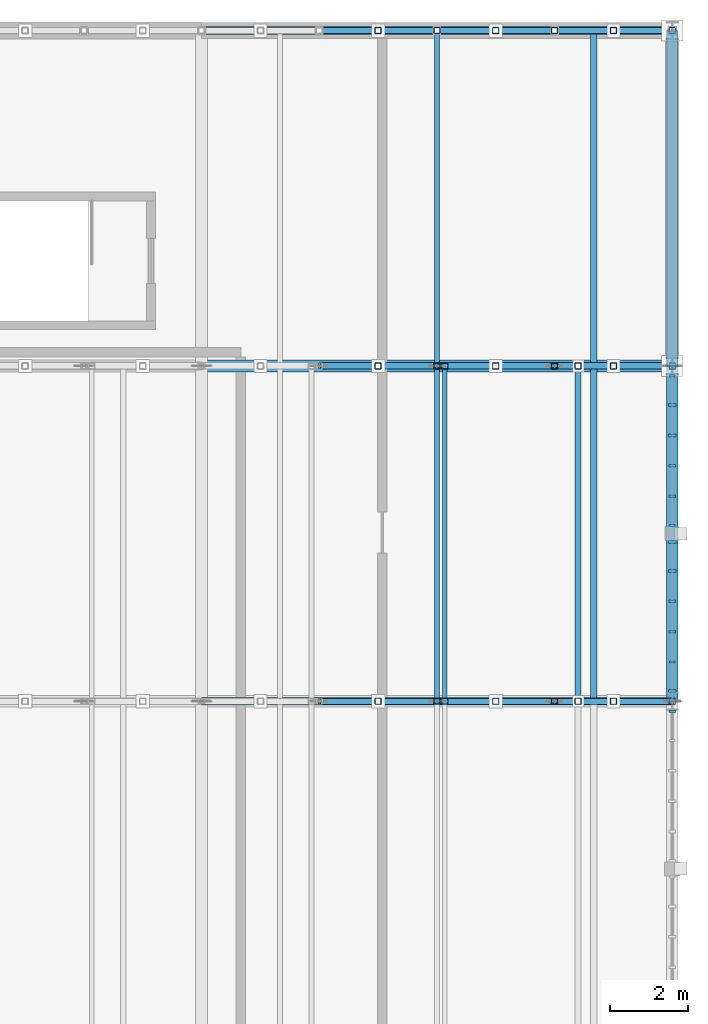
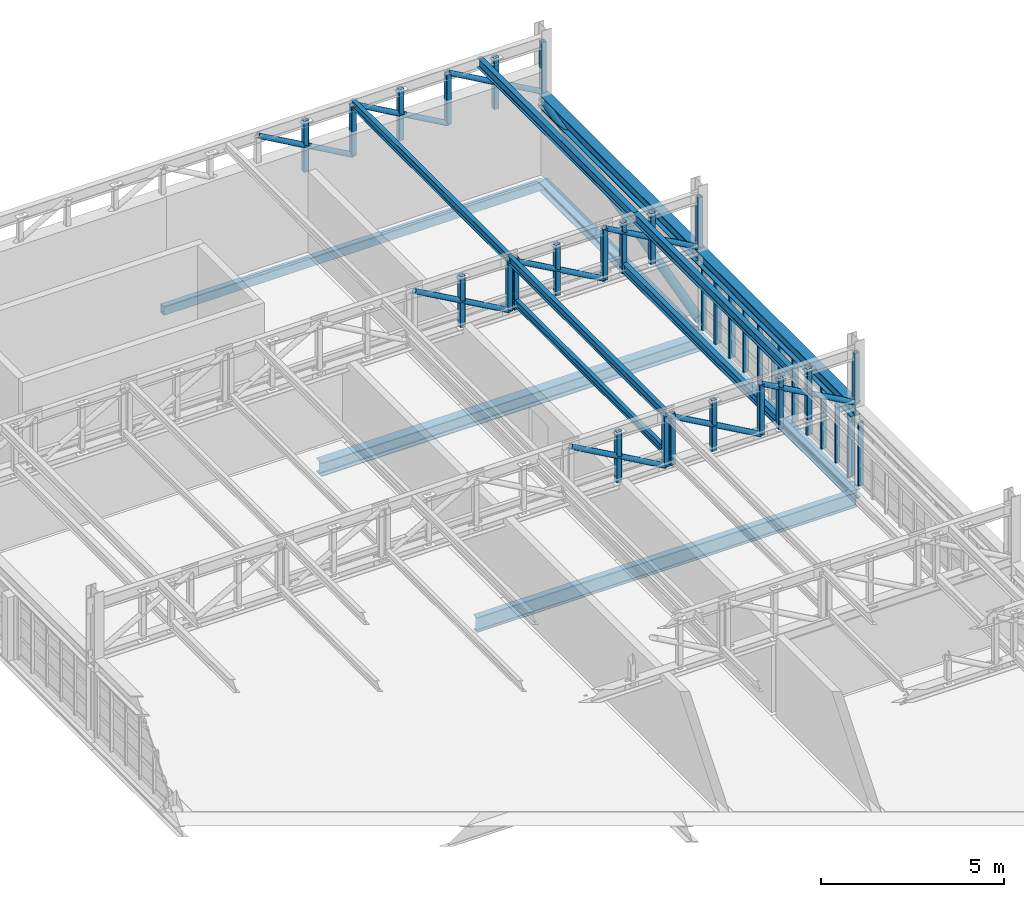
# One storey, part 58 of 128: 51 members, 7 beams, 3 elements without a shape of their own.
"""IFC4 building model written with IfcOpenShell, lengths in metres."""

from ifc_helpers import new_model, si_unit, direction, frame, origin, origin_2d, place, context, subcontext, project, spatial, rectangle, hollow_rectangle, hollow_circle, i_section, extrude, material, material_profile, profile_set, type_object, element, aggregate, save


model = new_model("IFC4")

# Units and contexts
model_context = context("Model", 3, precision=1e-05, world=origin(), true_north=direction((0.0, 1.0)))
body_context = subcontext(model_context, "Body", "Model", "MODEL_VIEW")
ifc_project = project(units=[si_unit("LENGTHUNIT", "METRE"), si_unit("AREAUNIT", "SQUARE_METRE"), si_unit("VOLUMEUNIT", "CUBIC_METRE"), si_unit("PLANEANGLEUNIT", "RADIAN"), si_unit("MASSUNIT", "GRAM", prefix="KILO")], contexts=[model_context])

# Site, building, storey
site_placement = place(None, origin())
site = spatial("IfcSite", under=ifc_project, at=site_placement, CompositionType="ELEMENT")
building_placement = place(site_placement, origin())
building = spatial("IfcBuilding", under=site, at=building_placement, Name="Serraforn Aerial Cableway Station", CompositionType="ELEMENT")
storey_placement = place(building_placement, frame((0.0, 0.0, 9.0)))
storey = spatial("IfcBuildingStorey", under=building, at=storey_placement, Name="L02", CompositionType="ELEMENT", Elevation=9.0)

# Beams
ifc_material_1 = material(Name="Steel S355JR", Category="steel")
ifc_material_profile_1 = material_profile(ifc_material_1, i_section(OverallWidth=0.300048828125, OverallDepth=0.449951171875, WebThickness=0.011474609375, FlangeThickness=0.02099609375, FilletRadius=0.027099609375, at=origin_2d()), Name="HEA 450")
ifc_profile_set_1 = profile_set([ifc_material_profile_1], Name="Steel S355JR")
beam_type_1 = type_object("IfcBeamType", Name="BM-ST-HEA450", PredefinedType="USERDEFINED", material=ifc_profile_set_1)
beam_1_placement = place(storey_placement, frame((156.0, 105.449951171875, -0.544921875), z_axis=(1.0, 0.0, 0.0), x_axis=(0.0, 1.0, 0.0)))
element("IfcBeam", 1, at=beam_1_placement, inside=storey, type_object=beam_type_1, Name="Grid Girder X EG L02 Y8-2", ObjectType="GIRDER", PredefinedType="USERDEFINED", context=body_context, shape_type="SweptSolid", body=[
    extrude(i_section(OverallWidth=0.300048828125, OverallDepth=0.449951171875, WebThickness=0.011474609375, FlangeThickness=0.02099609375, FilletRadius=0.027099609375, at=origin_2d()), origin(), (0.0, 0.0, 1.0), 12.0),
])
ifc_material_2 = material(Name="Steel S355J2", Category="steel")
ifc_material_profile_2 = material_profile(ifc_material_2, i_section(OverallWidth=0.300048828125, OverallDepth=0.300048828125, WebThickness=0.010986328125, FlangeThickness=0.01904296875, FilletRadius=0.027099609375, at=origin_2d()), Name="HEB 300")
ifc_profile_set_2 = profile_set([ifc_material_profile_2], Name="Steel S355J2")
beam_type_2 = type_object("IfcBeamType", Name="BM-ST-HEB300", PredefinedType="BEAM", material=ifc_profile_set_2)
for number, where, z_axis, x_axis, name in (
    (2, (168.0, 96.89990234375, -0.469970703125), (0.0, 1.0, 0.0), (-1.0, 0.0, 0.0), "Grid Girder Y EG L02 X3-7"),
    (3, (168.0, 105.449951171875, -0.469970703125), (0.0, 1.0, 0.0), (-1.0, 0.0, 0.0), "Grid Girder Y EG L02 X3-8"),
):
    element("IfcBeam", number, at=place(storey_placement, frame(where, z_axis=z_axis, x_axis=x_axis)), inside=storey, type_object=beam_type_2, Name=name, PredefinedType="BEAM", context=body_context, shape_type="SweptSolid", body=[
        extrude(i_section(OverallWidth=0.300048828125, OverallDepth=0.300048828125, WebThickness=0.010986328125, FlangeThickness=0.01904296875, FilletRadius=0.027099609375, at=origin_2d()), origin(), (0.0, 0.0, 1.0), 8.550048828125),
    ])
ifc_material_profile_3 = material_profile(ifc_material_2, i_section(OverallWidth=0.300048828125, OverallDepth=0.449951171875, WebThickness=0.013916015625, FlangeThickness=0.02587890625, FilletRadius=0.027099609375, at=origin_2d()), Name="HEB 450")
ifc_profile_set_3 = profile_set([ifc_material_profile_3], Name="Steel S355J2")
beam_type_3 = type_object("IfcBeamType", Name="BM-ST-HEB450", PredefinedType="USERDEFINED", material=ifc_profile_set_3)
for number, where, z_axis, x_axis, name in (
    (4, (168.0, 96.89990234375, 2.375), (0.0, 1.0, 0.0), (-1.0, 0.0, 0.0), "Garage Truss Support Girder E-7"),
    (5, (168.0, 105.449951171875, 2.375), (0.0, 1.0, 0.0), (-1.0, 0.0, 0.0), "Garage Truss Support Girder E-8"),
):
    element("IfcBeam", number, at=place(storey_placement, frame(where, z_axis=z_axis, x_axis=x_axis)), inside=storey, type_object=beam_type_3, Name=name, ObjectType="GIRDER", PredefinedType="USERDEFINED", context=body_context, shape_type="SweptSolid", body=[
        extrude(i_section(OverallWidth=0.300048828125, OverallDepth=0.449951171875, WebThickness=0.013916015625, FlangeThickness=0.02587890625, FilletRadius=0.027099609375, at=origin_2d()), origin(), (0.0, 0.0, 1.0), 8.550048828125),
    ])
ifc_material_profile_4 = material_profile(ifc_material_1, i_section(OverallWidth=0.199951171875, OverallDepth=0.5, WebThickness=0.01025390625, FlangeThickness=0.01611328125, FilletRadius=0.02099609375, at=origin_2d()), Name="IPE 500")
ifc_profile_set_4 = profile_set([ifc_material_profile_4], Name="Steel S355JR")
beam_type_4 = type_object("IfcBeamType", Name="BM-ST-IPE500", PredefinedType="USERDEFINED", material=ifc_profile_set_4)
beam_2_placement = place(storey_placement, frame((156.0, 96.89990234375, -0.570068359375), z_axis=(1.0, 0.0, 0.0), x_axis=(0.0, 1.0, 0.0)))
element("IfcBeam", 6, at=beam_2_placement, inside=storey, type_object=beam_type_4, Name="Grid Girder X EG L02 Y7-2", ObjectType="GIRDER", PredefinedType="USERDEFINED", context=body_context, shape_type="SweptSolid", body=[
    extrude(i_section(OverallWidth=0.199951171875, OverallDepth=0.5, WebThickness=0.01025390625, FlangeThickness=0.01611328125, FilletRadius=0.02099609375, at=origin_2d()), origin(), (0.0, 0.0, 1.0), 12.0),
])
ifc_material_profile_5 = material_profile(ifc_material_2, hollow_rectangle(XDim=0.199951171875, YDim=0.300048828125, WallThickness=0.012451171875, InnerFilletRadius=0.012451171875, OuterFilletRadius=0.02490234375, at=origin_2d()), Name="RHS 300x200x12.5")
ifc_profile_set_5 = profile_set([ifc_material_profile_5], Name="Steel S355J2")
beam_type_5 = type_object("IfcBeamType", Name="BM-ST-RHS300", PredefinedType="SPANDREL", material=ifc_profile_set_5)
beam_3_placement = place(storey_placement, frame((156.0, 114.0, -0.469970703125), z_axis=(1.0, 0.0, 0.0), x_axis=(0.0, 1.0, 0.0)))
element("IfcBeam", 7, at=beam_3_placement, inside=storey, type_object=beam_type_5, Name="Grid Girder X EG L02 Y9-2", PredefinedType="SPANDREL", context=body_context, shape_type="SweptSolid", body=[
    extrude(hollow_rectangle(XDim=0.199951171875, YDim=0.300048828125, WallThickness=0.012451171875, InnerFilletRadius=0.012451171875, OuterFilletRadius=0.02490234375, at=origin_2d()), origin(), (0.0, 0.0, 1.0), 12.0),
])

# Curtain wall, member
ifc_material_3 = material(Name="Anodised bronze unitised curtain wall")
curtain_wall_type_1 = type_object("IfcCurtainWallType", Name="CW-SYS-13", PredefinedType="USERDEFINED", material=ifc_material_3)
curtain_wall_1_placement = place(storey_placement, origin())
curtain_wall_1 = element("IfcCurtainWall", 8, at=curtain_wall_1_placement, inside=storey, type_object=curtain_wall_type_1, Name="Unitised Curtain Wall CW-EG-L02-E7A", ObjectType="UNITISED CURTAIN WALL", PredefinedType="USERDEFINED")
ifc_material_4 = material(Name="Anodised bronze extruded aluminium", Category="aluminium")
ifc_material_profile_6 = material_profile(ifc_material_4, rectangle(XDim=0.054931640625, YDim=0.139892578125, at=origin_2d()), Name="CW MULLION 55x140")
ifc_profile_set_6 = profile_set([ifc_material_profile_6], Name="Anodised bronze extruded aluminium")
member_type_1 = type_object("IfcMemberType", Name="CW-MUL-1", PredefinedType="MULLION", material=ifc_profile_set_6)
member_1_placement = place(storey_placement, frame((168.0, 97.8974609375, 0.0), z_axis=(0.0, 0.0, 1.0), x_axis=(0.0, 1.0, 0.0)))
member_1 = element("IfcMember", 9, at=member_1_placement, type_object=member_type_1, Name="Curtain Wall Mullion CW-EG-L02-E7A-M2", PredefinedType="MULLION", context=body_context, shape_type="SweptSolid", body=[
    extrude(rectangle(XDim=0.054931640625, YDim=0.139892578125, at=origin_2d()), origin(), (0.0, 0.0, 1.0), 2.1201171875),
])

# Curtain wall, members
curtain_wall_type_2 = type_object("IfcCurtainWallType", Name="CW-SYS-14", PredefinedType="USERDEFINED", material=ifc_material_3)
curtain_wall_2_placement = place(storey_placement, origin())
curtain_wall_2 = element("IfcCurtainWall", 10, at=curtain_wall_2_placement, inside=storey, type_object=curtain_wall_type_2, Name="Unitised Curtain Wall CW-EG-L02-E7B", ObjectType="UNITISED CURTAIN WALL", PredefinedType="USERDEFINED")
member_2_placement = place(storey_placement, frame((168.0, 101.382568359375, 0.0), z_axis=(0.0, 0.0, 1.0), x_axis=(0.0, 1.0, 0.0)))
member_2 = element("IfcMember", 11, at=member_2_placement, type_object=member_type_1, Name="Curtain Wall Mullion CW-EG-L02-E7B-M1", PredefinedType="MULLION", context=body_context, shape_type="SweptSolid", body=[
    extrude(rectangle(XDim=0.054931640625, YDim=0.139892578125, at=origin_2d()), origin(), (0.0, 0.0, 1.0), 2.1201171875),
])
member_3_placement = place(storey_placement, frame((168.0, 105.199462890625, 0.0), z_axis=(0.0, 0.0, 1.0), x_axis=(0.0, 1.0, 0.0)))
member_3 = element("IfcMember", 12, at=member_3_placement, type_object=member_type_1, Name="Curtain Wall Mullion CW-EG-L02-E7B-M6", PredefinedType="MULLION", context=body_context, shape_type="SweptSolid", body=[
    extrude(rectangle(XDim=0.054931640625, YDim=0.139892578125, at=origin_2d()), origin(), (0.0, 0.0, 1.0), 2.1201171875),
])

# Curtain wall, member
curtain_wall_type_3 = type_object("IfcCurtainWallType", Name="CW-SYS-10", PredefinedType="USERDEFINED", material=ifc_material_3)
curtain_wall_3_placement = place(storey_placement, origin())
curtain_wall_3 = element("IfcCurtainWall", 13, at=curtain_wall_3_placement, inside=storey, type_object=curtain_wall_type_3, Name="Unitised Curtain Wall CW-EG-L02-E6B", ObjectType="UNITISED CURTAIN WALL", PredefinedType="USERDEFINED")
ifc_material_profile_7 = material_profile(ifc_material_4, rectangle(XDim=0.06005859375, YDim=0.159912109375, at=origin_2d()), Name="CW MULLION 60x160")
ifc_profile_set_7 = profile_set([ifc_material_profile_7], Name="Anodised bronze extruded aluminium")
member_type_2 = type_object("IfcMemberType", Name="CW-MUL-2", PredefinedType="MULLION", material=ifc_profile_set_7)
member_4_placement = place(storey_placement, frame((168.0, 96.64697265625, 0.0), z_axis=(0.0, 0.0, 1.0), x_axis=(0.0, 1.0, 0.0)))
member_4 = element("IfcMember", 14, at=member_4_placement, type_object=member_type_2, Name="Curtain Wall Mullion CW-EG-L02-E6B-M6", PredefinedType="MULLION", context=body_context, shape_type="SweptSolid", body=[
    extrude(rectangle(XDim=0.06005859375, YDim=0.159912109375, at=origin_2d()), origin(), (0.0, 0.0, 1.0), 2.1201171875),
])
aggregate(curtain_wall_3, [member_4])

# Member
member_5_placement = place(storey_placement, frame((168.0, 98.671875, 0.0), z_axis=(0.0, 0.0, 1.0), x_axis=(0.0, 1.0, 0.0)))
member_5 = element("IfcMember", 15, at=member_5_placement, type_object=member_type_2, Name="Curtain Wall Mullion CW-EG-L02-E7A-M3", PredefinedType="MULLION", context=body_context, shape_type="SweptSolid", body=[
    extrude(rectangle(XDim=0.06005859375, YDim=0.159912109375, at=origin_2d()), origin(), (0.0, 0.0, 1.0), 2.1201171875),
])

member_6_placement = place(storey_placement, frame((168.0, 102.12939453125, 0.0), z_axis=(0.0, 0.0, 1.0), x_axis=(0.0, 1.0, 0.0)))
member_6 = element("IfcMember", 16, at=member_6_placement, type_object=member_type_2, Name="Curtain Wall Mullion CW-EG-L02-E7B-M2", PredefinedType="MULLION", context=body_context, shape_type="SweptSolid", body=[
    extrude(rectangle(XDim=0.06005859375, YDim=0.159912109375, at=origin_2d()), origin(), (0.0, 0.0, 1.0), 2.1201171875),
])

ifc_material_profile_8 = material_profile(ifc_material_4, rectangle(XDim=0.06494140625, YDim=0.175048828125, at=origin_2d()), Name="CW MULLION 65x175")
ifc_profile_set_8 = profile_set([ifc_material_profile_8], Name="Anodised bronze extruded aluminium")
member_type_3 = type_object("IfcMemberType", Name="CW-MUL-3", PredefinedType="MULLION", material=ifc_profile_set_8)
member_7_placement = place(storey_placement, frame((168.0, 99.4462890625, 0.0), z_axis=(0.0, 0.0, 1.0), x_axis=(0.0, 1.0, 0.0)))
member_7 = element("IfcMember", 17, at=member_7_placement, type_object=member_type_3, Name="Curtain Wall Mullion CW-EG-L02-E7A-M4", PredefinedType="MULLION", context=body_context, shape_type="SweptSolid", body=[
    extrude(rectangle(XDim=0.06494140625, YDim=0.175048828125, at=origin_2d()), origin(), (0.0, 0.0, 1.0), 2.1201171875),
])

member_8_placement = place(storey_placement, frame((168.0, 102.90380859375, 0.0), z_axis=(0.0, 0.0, 1.0), x_axis=(0.0, 1.0, 0.0)))
member_8 = element("IfcMember", 18, at=member_8_placement, type_object=member_type_3, Name="Curtain Wall Mullion CW-EG-L02-E7B-M3", PredefinedType="MULLION", context=body_context, shape_type="SweptSolid", body=[
    extrude(rectangle(XDim=0.06494140625, YDim=0.175048828125, at=origin_2d()), origin(), (0.0, 0.0, 1.0), 2.1201171875),
])

ifc_material_profile_9 = material_profile(ifc_material_4, rectangle(XDim=0.070068359375, YDim=0.18994140625, at=origin_2d()), Name="CW MULLION 70x190")
ifc_profile_set_9 = profile_set([ifc_material_profile_9], Name="Anodised bronze extruded aluminium")
member_type_4 = type_object("IfcMemberType", Name="CW-MUL-4", PredefinedType="MULLION", material=ifc_profile_set_9)
member_9_placement = place(storey_placement, frame((168.0, 100.220703125, 0.0), z_axis=(0.0, 0.0, 1.0), x_axis=(0.0, 1.0, 0.0)))
member_9 = element("IfcMember", 19, at=member_9_placement, type_object=member_type_4, Name="Curtain Wall Mullion CW-EG-L02-E7A-M5", PredefinedType="MULLION", context=body_context, shape_type="SweptSolid", body=[
    extrude(rectangle(XDim=0.070068359375, YDim=0.18994140625, at=origin_2d()), origin(), (0.0, 0.0, 1.0), 2.1201171875),
])

member_10_placement = place(storey_placement, frame((168.0, 103.67822265625, 0.0), z_axis=(0.0, 0.0, 1.0), x_axis=(0.0, 1.0, 0.0)))
member_10 = element("IfcMember", 20, at=member_10_placement, type_object=member_type_4, Name="Curtain Wall Mullion CW-EG-L02-E7B-M4", PredefinedType="MULLION", context=body_context, shape_type="SweptSolid", body=[
    extrude(rectangle(XDim=0.070068359375, YDim=0.18994140625, at=origin_2d()), origin(), (0.0, 0.0, 1.0), 2.1201171875),
])

ifc_material_profile_10 = material_profile(ifc_material_4, rectangle(XDim=0.074951171875, YDim=0.199951171875, at=origin_2d()), Name="CW MULLION 75x200")
ifc_profile_set_10 = profile_set([ifc_material_profile_10], Name="Anodised bronze extruded aluminium")
member_type_5 = type_object("IfcMemberType", Name="CW-MUL-5", PredefinedType="MULLION", material=ifc_profile_set_10)
member_11_placement = place(storey_placement, frame((168.0, 97.160400390625, 0.0), z_axis=(0.0, 0.0, 1.0), x_axis=(0.0, 1.0, 0.0)))
member_11 = element("IfcMember", 21, at=member_11_placement, type_object=member_type_5, Name="Curtain Wall Mullion CW-EG-L02-E7A-M1", PredefinedType="MULLION", context=body_context, shape_type="SweptSolid", body=[
    extrude(rectangle(XDim=0.074951171875, YDim=0.199951171875, at=origin_2d()), origin(), (0.0, 0.0, 1.0), 2.1201171875),
])

member_12_placement = place(storey_placement, frame((168.0, 100.95751953125, 0.0), z_axis=(0.0, 0.0, 1.0), x_axis=(0.0, 1.0, 0.0)))
member_12 = element("IfcMember", 22, at=member_12_placement, type_object=member_type_5, Name="Curtain Wall Mullion CW-EG-L02-E7A-M6", PredefinedType="MULLION", context=body_context, shape_type="SweptSolid", body=[
    extrude(rectangle(XDim=0.074951171875, YDim=0.199951171875, at=origin_2d()), origin(), (0.0, 0.0, 1.0), 2.1201171875),
])

aggregate(curtain_wall_1, [member_11, member_1, member_5, member_7, member_9, member_12])

member_13_placement = place(storey_placement, frame((168.0, 104.45263671875, 0.0), z_axis=(0.0, 0.0, 1.0), x_axis=(0.0, 1.0, 0.0)))
member_13 = element("IfcMember", 23, at=member_13_placement, type_object=member_type_5, Name="Curtain Wall Mullion CW-EG-L02-E7B-M5", PredefinedType="MULLION", context=body_context, shape_type="SweptSolid", body=[
    extrude(rectangle(XDim=0.074951171875, YDim=0.199951171875, at=origin_2d()), origin(), (0.0, 0.0, 1.0), 2.1201171875),
])

aggregate(curtain_wall_2, [member_2, member_6, member_8, member_10, member_13, member_3])

# Members
ifc_material_profile_11 = material_profile(ifc_material_2, hollow_circle(Radius=0.084228515625, WallThickness=0.008056640625, at=origin_2d()), Name="CHS 168.3x8.0")
ifc_profile_set_11 = profile_set([ifc_material_profile_11], Name="Steel S355J2")
member_type_6 = type_object("IfcMemberType", Name="MEM-DG-CHS168", PredefinedType="BRACE", material=ifc_profile_set_11)
for number, where, z_axis, x_axis, name in (
    (24, (159.0, 96.89990234375, 4.2900390625), (0.871272396707, 0.0, -0.490799766439), (0.0, 1.0, 0.0), "Garage Truss GT-10 Diagonal 6"),
    (25, (162.0, 96.89990234375, 4.2900390625), (0.871272396707, 0.0, -0.490799766439), (0.0, 1.0, 0.0), "Garage Truss GT-10 Diagonal 7"),
    (26, (165.0, 96.89990234375, 4.2900390625), (0.871272396707, 0.0, -0.490799766439), (0.0, 1.0, 0.0), "Garage Truss GT-10 Diagonal 8"),
    (27, (159.0, 105.449951171875, 4.2900390625), (0.871272396707, 0.0, -0.490799766439), (0.0, 1.0, 0.0), "Garage Truss GT-11 Diagonal 6"),
    (28, (162.0, 105.449951171875, 4.2900390625), (0.871272396707, 0.0, -0.490799766439), (0.0, 1.0, 0.0), "Garage Truss GT-11 Diagonal 7"),
    (29, (165.0, 105.449951171875, 4.2900390625), (0.871272396707, 0.0, -0.490799766439), (0.0, 1.0, 0.0), "Garage Truss GT-11 Diagonal 8"),
    (30, (159.0, 114.0, 4.2900390625), (0.871272396707, 0.0, -0.490799766439), (0.0, 1.0, 0.0), "Garage Truss GT-12 Diagonal 6"),
    (31, (162.0, 114.0, 4.2900390625), (0.871272396707, 0.0, -0.490799766439), (0.0, 1.0, 0.0), "Garage Truss GT-12 Diagonal 7"),
    (32, (165.0, 114.0, 4.2900390625), (0.871272396707, 0.0, -0.490799766439), (0.0, 1.0, 0.0), "Garage Truss GT-12 Diagonal 8"),
):
    element("IfcMember", number, at=place(storey_placement, frame(where, z_axis=z_axis, x_axis=x_axis)), inside=storey, type_object=member_type_6, Name=name, PredefinedType="BRACE", context=body_context, shape_type="SweptSolid", body=[
        extrude(hollow_circle(Radius=0.084228515625, WallThickness=0.008056640625, at=origin_2d()), origin(), (0.0, 0.0, 1.0), 3.443359375),
    ])
ifc_material_profile_12 = material_profile(ifc_material_1, i_section(OverallWidth=0.135009765625, OverallDepth=0.27001953125, WebThickness=0.006591796875, FlangeThickness=0.01025390625, FilletRadius=0.014892578125, at=origin_2d()), Name="IPE 270")
ifc_profile_set_12 = profile_set([ifc_material_profile_12], Name="Steel S355JR")
member_type_7 = type_object("IfcMemberType", Name="MEM-PR-IPE270", PredefinedType="PURLIN", material=ifc_profile_set_12)
for number, where, z_axis, x_axis, name in (
    (33, (162.0, 96.89990234375, 4.3349609375), (0.0, 1.0, 0.0), (-1.0, 0.0, 0.0), "Fleet Garage Roof Purlin 7-5"),
    (34, (162.0, 105.449951171875, 4.3349609375), (0.0, 1.0, 0.0), (-1.0, 0.0, 0.0), "Fleet Garage Roof Purlin 8-5"),
):
    element("IfcMember", number, at=place(storey_placement, frame(where, z_axis=z_axis, x_axis=x_axis)), inside=storey, type_object=member_type_7, Name=name, PredefinedType="PURLIN", context=body_context, shape_type="SweptSolid", body=[
        extrude(i_section(OverallWidth=0.135009765625, OverallDepth=0.27001953125, WebThickness=0.006591796875, FlangeThickness=0.01025390625, FilletRadius=0.014892578125, at=origin_2d()), origin(), (0.0, 0.0, 1.0), 8.550048828125),
    ])
ifc_material_profile_13 = material_profile(ifc_material_1, i_section(OverallWidth=0.159912109375, OverallDepth=0.330078125, WebThickness=0.007568359375, FlangeThickness=0.011474609375, FilletRadius=0.01806640625, at=origin_2d()), Name="IPE 330")
ifc_profile_set_13 = profile_set([ifc_material_profile_13], Name="Steel S355JR")
member_type_8 = type_object("IfcMemberType", Name="MEM-PR-IPE330", PredefinedType="PURLIN", material=ifc_profile_set_13)
for number, where, z_axis, x_axis, name in (
    (35, (166.0, 96.89990234375, 4.304931640625), (0.0, 1.0, 0.0), (-1.0, 0.0, 0.0), "Fleet Garage Roof Purlin 7-6"),
    (36, (166.0, 105.449951171875, 4.304931640625), (0.0, 1.0, 0.0), (-1.0, 0.0, 0.0), "Fleet Garage Roof Purlin 8-6"),
):
    element("IfcMember", number, at=place(storey_placement, frame(where, z_axis=z_axis, x_axis=x_axis)), inside=storey, type_object=member_type_8, Name=name, PredefinedType="PURLIN", context=body_context, shape_type="SweptSolid", body=[
        extrude(i_section(OverallWidth=0.159912109375, OverallDepth=0.330078125, WebThickness=0.007568359375, FlangeThickness=0.011474609375, FilletRadius=0.01806640625, at=origin_2d()), origin(), (0.0, 0.0, 1.0), 8.550048828125),
    ])
ifc_material_profile_14 = material_profile(ifc_material_2, i_section(OverallWidth=0.1201171875, OverallDepth=0.239990234375, WebThickness=0.006103515625, FlangeThickness=0.009765625, FilletRadius=0.014892578125, at=origin_2d()), Name="IPE 240")
ifc_profile_set_14 = profile_set([ifc_material_profile_14], Name="Steel S355J2")
member_type_9 = type_object("IfcMemberType", Name="MEM-RL-IPE240", PredefinedType="USERDEFINED", material=ifc_profile_set_14)
member_14_placement = place(storey_placement, frame((162.199951171875, 96.89990234375, 2.820068359375), z_axis=(0.0, 1.0, 0.0), x_axis=(-1.0, 0.0, 0.0)))
element("IfcMember", 37, at=member_14_placement, inside=storey, type_object=member_type_9, Name="Overhead Cabin Storage Track Rail 5-6", ObjectType="OVERHEAD TRACK RAIL", PredefinedType="USERDEFINED", context=body_context, shape_type="SweptSolid", body=[
    extrude(i_section(OverallWidth=0.1201171875, OverallDepth=0.239990234375, WebThickness=0.006103515625, FlangeThickness=0.009765625, FilletRadius=0.014892578125, at=origin_2d()), origin(), (0.0, 0.0, 1.0), 8.550048828125),
])
ifc_material_profile_15 = material_profile(ifc_material_2, i_section(OverallWidth=0.14990234375, OverallDepth=0.300048828125, WebThickness=0.007080078125, FlangeThickness=0.0107421875, FilletRadius=0.014892578125, at=origin_2d()), Name="IPE 300")
ifc_profile_set_15 = profile_set([ifc_material_profile_15], Name="Steel S355J2")
member_type_10 = type_object("IfcMemberType", Name="MEM-RL-IPE300", PredefinedType="USERDEFINED", material=ifc_profile_set_15)
member_15_placement = place(storey_placement, frame((165.60009765625, 96.89990234375, 2.820068359375), z_axis=(0.0, 1.0, 0.0), x_axis=(-1.0, 0.0, 0.0)))
element("IfcMember", 38, at=member_15_placement, inside=storey, type_object=member_type_10, Name="Overhead Cabin Storage Track Rail 6-6", ObjectType="OVERHEAD TRACK RAIL", PredefinedType="USERDEFINED", context=body_context, shape_type="SweptSolid", body=[
    extrude(i_section(OverallWidth=0.14990234375, OverallDepth=0.300048828125, WebThickness=0.007080078125, FlangeThickness=0.0107421875, FilletRadius=0.014892578125, at=origin_2d()), origin(), (0.0, 0.0, 1.0), 8.550048828125),
])
ifc_material_profile_16 = material_profile(ifc_material_2, hollow_rectangle(XDim=0.159912109375, YDim=0.159912109375, WallThickness=0.008056640625, InnerFilletRadius=0.008056640625, OuterFilletRadius=0.01611328125, at=origin_2d()), Name="SHS 160x160x8.0")
ifc_profile_set_16 = profile_set([ifc_material_profile_16], Name="Steel S355J2")
member_type_11 = type_object("IfcMemberType", Name="MEM-VP-SHS160", PredefinedType="STRUT", material=ifc_profile_set_16)
for number, where, z_axis, x_axis, name in (
    (39, (162.0, 96.89990234375, 2.590087890625), (0.0, 0.0, 1.0), (1.0, 0.0, 0.0), "Garage Truss GT-10 Post 7"),
    (40, (165.0, 96.89990234375, 2.590087890625), (0.0, 0.0, 1.0), (1.0, 0.0, 0.0), "Garage Truss GT-10 Post 8"),
    (41, (168.0, 96.89990234375, 2.590087890625), (0.0, 0.0, 1.0), (1.0, 0.0, 0.0), "Garage Truss GT-10 Post 9"),
    (42, (162.0, 105.449951171875, 2.590087890625), (0.0, 0.0, 1.0), (1.0, 0.0, 0.0), "Garage Truss GT-11 Post 7"),
    (43, (165.0, 105.449951171875, 2.590087890625), (0.0, 0.0, 1.0), (1.0, 0.0, 0.0), "Garage Truss GT-11 Post 8"),
    (44, (168.0, 105.449951171875, 2.590087890625), (0.0, 0.0, 1.0), (1.0, 0.0, 0.0), "Garage Truss GT-11 Post 9"),
    (45, (162.0, 114.0, 2.590087890625), (0.0, 0.0, 1.0), (1.0, 0.0, 0.0), "Garage Truss GT-12 Post 7"),
    (46, (165.0, 114.0, 2.590087890625), (0.0, 0.0, 1.0), (1.0, 0.0, 0.0), "Garage Truss GT-12 Post 8"),
    (47, (168.0, 114.0, 2.590087890625), (0.0, 0.0, 1.0), (1.0, 0.0, 0.0), "Garage Truss GT-12 Post 9"),
    (48, (162.199951171875, 96.89990234375, 2.590087890625), (0.0, 0.0, 1.0), (1.0, 0.0, 0.0), "Overhead Rail Suspension Post 053"),
    (49, (165.60009765625, 96.89990234375, 2.590087890625), (0.0, 0.0, 1.0), (1.0, 0.0, 0.0), "Overhead Rail Suspension Post 054"),
    (50, (162.199951171875, 105.449951171875, 2.590087890625), (0.0, 0.0, 1.0), (1.0, 0.0, 0.0), "Overhead Rail Suspension Post 059"),
    (51, (165.60009765625, 105.449951171875, 2.590087890625), (0.0, 0.0, 1.0), (1.0, 0.0, 0.0), "Overhead Rail Suspension Post 060"),
    (52, (160.5, 96.89990234375, 2.590087890625), (0.0, 0.0, 1.0), (1.0, 0.0, 0.0), "Garage Truss GT-10 Sub-Vertical 6"),
    (53, (163.5, 96.89990234375, 2.590087890625), (0.0, 0.0, 1.0), (1.0, 0.0, 0.0), "Garage Truss GT-10 Sub-Vertical 7"),
    (54, (166.5, 96.89990234375, 2.590087890625), (0.0, 0.0, 1.0), (1.0, 0.0, 0.0), "Garage Truss GT-10 Sub-Vertical 8"),
    (55, (160.5, 105.449951171875, 2.590087890625), (0.0, 0.0, 1.0), (1.0, 0.0, 0.0), "Garage Truss GT-11 Sub-Vertical 6"),
    (56, (163.5, 105.449951171875, 2.590087890625), (0.0, 0.0, 1.0), (1.0, 0.0, 0.0), "Garage Truss GT-11 Sub-Vertical 7"),
    (57, (166.5, 105.449951171875, 2.590087890625), (0.0, 0.0, 1.0), (1.0, 0.0, 0.0), "Garage Truss GT-11 Sub-Vertical 8"),
    (58, (160.5, 114.0, 2.590087890625), (0.0, 0.0, 1.0), (1.0, 0.0, 0.0), "Garage Truss GT-12 Sub-Vertical 6"),
    (59, (163.5, 114.0, 2.590087890625), (0.0, 0.0, 1.0), (1.0, 0.0, 0.0), "Garage Truss GT-12 Sub-Vertical 7"),
    (60, (166.5, 114.0, 2.590087890625), (0.0, 0.0, 1.0), (1.0, 0.0, 0.0), "Garage Truss GT-12 Sub-Vertical 8"),
):
    element("IfcMember", number, at=place(storey_placement, frame(where, z_axis=z_axis, x_axis=x_axis)), inside=storey, type_object=member_type_11, Name=name, PredefinedType="STRUT", context=body_context, shape_type="SweptSolid", body=[
        extrude(hollow_rectangle(XDim=0.159912109375, YDim=0.159912109375, WallThickness=0.008056640625, InnerFilletRadius=0.008056640625, OuterFilletRadius=0.01611328125, at=origin_2d()), origin(), (0.0, 0.0, 1.0), 1.7099609375),
    ])
ifc_material_profile_17 = material_profile(ifc_material_2, hollow_circle(Radius=0.136474609375, WallThickness=0.012451171875, at=origin_2d()), Name="CHS 273.0x12.5")
ifc_profile_set_17 = profile_set([ifc_material_profile_17], Name="Steel S355J2")
member_type_12 = type_object("IfcMemberType", Name="MEM-WB-CHS273", PredefinedType="BRACE", material=ifc_profile_set_17)
member_16_placement = place(storey_placement, frame((168.0, 105.449951171875, 0.199951171875), z_axis=(0.0, 0.968455570332, 0.249186292346), x_axis=(-1.0, 0.0, 0.0)))
element("IfcMember", 61, at=member_16_placement, inside=storey, type_object=member_type_12, Name="High-Level Lateral Wind Brace 8", PredefinedType="BRACE", context=body_context, shape_type="SweptSolid", body=[
    extrude(hollow_circle(Radius=0.136474609375, WallThickness=0.012451171875, at=origin_2d()), origin(), (0.0, 0.0, 1.0), 8.82861328125),
])

save(model, "model.ifc")
